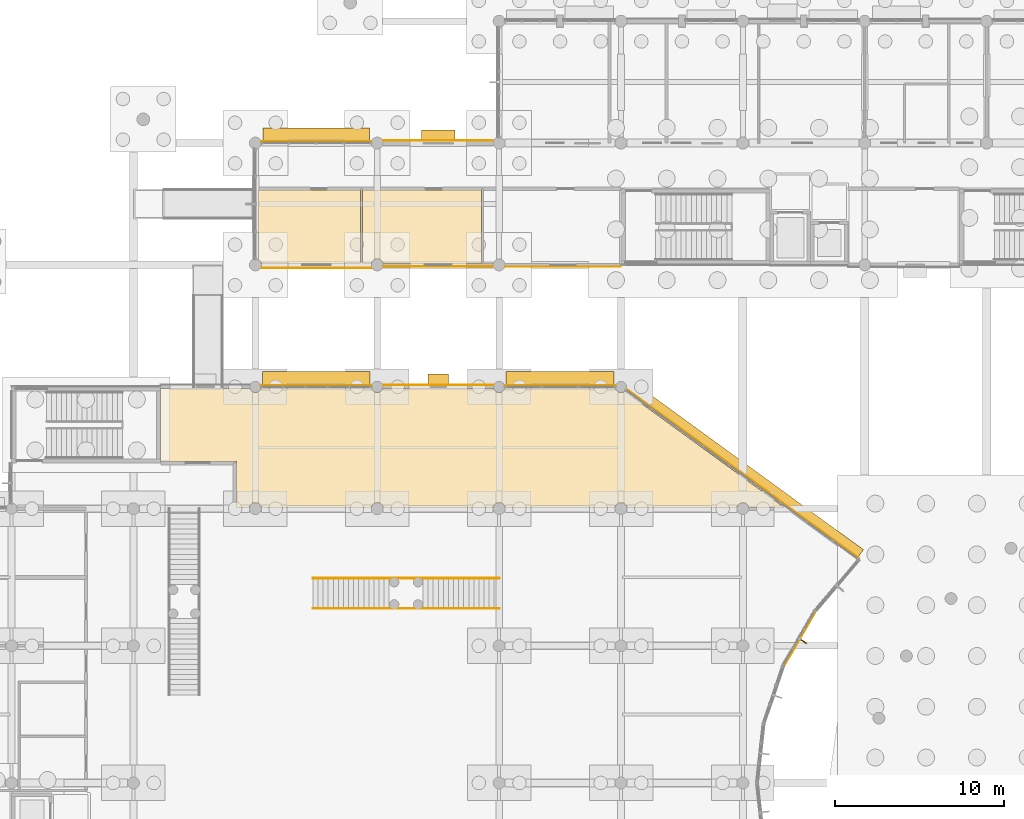
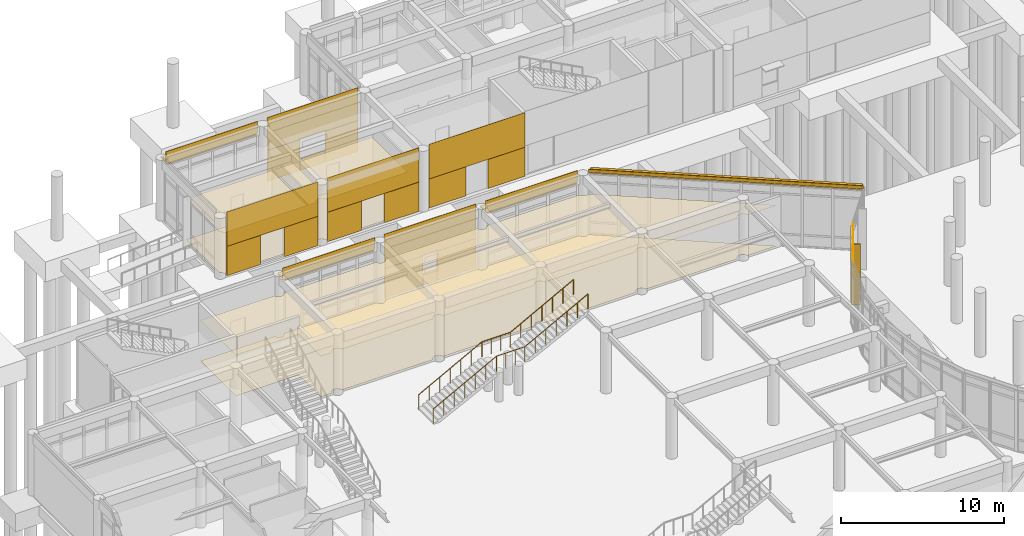
# One storey, part 89 of 103: 28 coverings, 7 shading devices, 2 railings.
"""IFC4 building model written with IfcOpenShell, lengths in metres."""

from ifc_helpers import new_model, si_unit, direction, frame, origin, origin_2d, place, context, subcontext, project, spatial, polyline, rectangle, circle, outline, extrude, material, layer, layer_set, type_object, element, save


model = new_model("IFC4")

# Units and contexts
model_context = context("Model", 3, precision=1e-05, world=origin(), true_north=direction((0.0, 1.0)))
body_context = subcontext(model_context, "Body", "Model", "MODEL_VIEW")
ifc_project = project(units=[si_unit("LENGTHUNIT", "METRE"), si_unit("AREAUNIT", "SQUARE_METRE"), si_unit("VOLUMEUNIT", "CUBIC_METRE"), si_unit("PLANEANGLEUNIT", "RADIAN"), si_unit("MASSUNIT", "GRAM", prefix="KILO")], contexts=[model_context])

# Site, building, storey
site_placement = place(None, origin())
site = spatial("IfcSite", under=ifc_project, at=site_placement, CompositionType="ELEMENT")
building_placement = place(site_placement, origin())
building = spatial("IfcBuilding", under=site, at=building_placement, Name="Namkhue Oval Health Centre", CompositionType="ELEMENT")
storey_placement = place(building_placement, origin())
storey = spatial("IfcBuildingStorey", under=building, at=storey_placement, Name="L00", CompositionType="ELEMENT", Elevation=0.0)

# Coverings
ifc_material_1 = material(Name="Acoustic mineral-fibre cleanroom ceiling", Category="gypsum")
ifc_layer_1 = layer(ifc_material_1, 0.02001953125)
ifc_layer_set_1 = layer_set([ifc_layer_1], Name="Acoustic mineral-fibre cleanroom ceiling")
covering_type_1 = type_object("IfcCoveringType", Name="ACOUSTIC CLEANROOM CEILING 20", PredefinedType="CEILING", material=ifc_layer_set_1)
covering_1_placement = place(storey_placement, frame((0.0, 0.0, 3.050048828125)))
element("IfcCovering", 1, at=covering_1_placement, inside=storey, type_object=covering_type_1, Name="Acoustic Ceiling L00-130 Public Health Cafe", PredefinedType="CEILING", context=body_context, shape_type="SweptSolid", body=[
    extrude(outline(polyline([(65.1494140625, 75.679931640625), (65.147705078125, 75.693115234375), (65.11181640625, 75.780029296875), (65.0546875, 75.8544921875), (64.97998046875, 75.911865234375), (64.893310546875, 75.94775390625), (64.800048828125, 75.9599609375), (64.706787109375, 75.94775390625), (64.6201171875, 75.911865234375), (64.54541015625, 75.8544921875), (64.48828125, 75.780029296875), (64.452392578125, 75.693115234375), (64.450439453125, 75.679931640625), (57.949462890625, 75.679931640625), (57.94775390625, 75.693115234375), (57.911865234375, 75.780029296875), (57.8544921875, 75.8544921875), (57.780029296875, 75.911865234375), (57.693115234375, 75.94775390625), (57.60009765625, 75.9599609375), (57.5068359375, 75.94775390625), (57.419921875, 75.911865234375), (57.345458984375, 75.8544921875), (57.2880859375, 75.780029296875), (57.252197265625, 75.693115234375), (57.25048828125, 75.679931640625), (50.74951171875, 75.679931640625), (50.747802734375, 75.693115234375), (50.7119140625, 75.780029296875), (50.654541015625, 75.8544921875), (50.580078125, 75.911865234375), (50.4931640625, 75.94775390625), (50.39990234375, 75.9599609375), (50.306884765625, 75.94775390625), (50.219970703125, 75.911865234375), (50.1455078125, 75.8544921875), (50.088134765625, 75.780029296875), (50.05224609375, 75.693115234375), (50.050537109375, 75.679931640625), (43.549560546875, 75.679931640625), (43.547607421875, 75.693115234375), (43.51171875, 75.780029296875), (43.45458984375, 75.8544921875), (43.3798828125, 75.911865234375), (43.293212890625, 75.94775390625), (43.199951171875, 75.9599609375), (43.106689453125, 75.94775390625), (43.02001953125, 75.911865234375), (42.9453125, 75.8544921875), (42.88818359375, 75.780029296875), (42.852294921875, 75.693115234375), (42.8505859375, 75.679931640625), (36.349609375, 75.679931640625), (36.34765625, 75.693115234375), (36.311767578125, 75.780029296875), (36.254638671875, 75.8544921875), (36.179931640625, 75.911865234375), (36.09326171875, 75.94775390625), (36.0, 75.9599609375), (35.90673828125, 75.94775390625), (35.820068359375, 75.911865234375), (35.745361328125, 75.8544921875), (35.688232421875, 75.780029296875), (35.65234375, 75.693115234375), (35.650390625, 75.679931640625), (34.8798828125, 75.679931640625), (34.8798828125, 78.3798828125), (30.39990234375, 78.3798828125), (30.39990234375, 82.715087890625), (35.67626953125, 82.715087890625), (35.7099609375, 82.632568359375), (35.76318359375, 82.56298828125), (35.83251953125, 82.510009765625), (35.913330078125, 82.476318359375), (36.0, 82.465087890625), (36.086669921875, 82.476318359375), (36.16748046875, 82.510009765625), (36.23681640625, 82.56298828125), (36.2900390625, 82.632568359375), (36.32373046875, 82.715087890625), (42.876220703125, 82.715087890625), (42.909912109375, 82.632568359375), (42.963134765625, 82.56298828125), (43.032470703125, 82.510009765625), (43.11328125, 82.476318359375), (43.199951171875, 82.465087890625), (43.28662109375, 82.476318359375), (43.367431640625, 82.510009765625), (43.43701171875, 82.56298828125), (43.489990234375, 82.632568359375), (43.523681640625, 82.715087890625), (50.076171875, 82.715087890625), (50.10986328125, 82.632568359375), (50.1630859375, 82.56298828125), (50.232421875, 82.510009765625), (50.313232421875, 82.476318359375), (50.39990234375, 82.465087890625), (50.48681640625, 82.476318359375), (50.5673828125, 82.510009765625), (50.636962890625, 82.56298828125), (50.690185546875, 82.632568359375), (50.723876953125, 82.715087890625), (57.276123046875, 82.715087890625), (57.309814453125, 82.632568359375), (57.363037109375, 82.56298828125), (57.4326171875, 82.510009765625), (57.51318359375, 82.476318359375), (57.60009765625, 82.465087890625), (57.686767578125, 82.476318359375), (57.767578125, 82.510009765625), (57.809814453125, 82.542236328125), (67.23779296875, 75.679931640625), (65.1494140625, 75.679931640625)])), origin(), (0.0, 0.0, 1.0), 0.02001953125),
])
covering_2_placement = place(storey_placement, frame((0.0, 0.0, 3.050048828125)))
element("IfcCovering", 2, at=covering_2_placement, inside=storey, type_object=covering_type_1, Name="Acoustic Ceiling L00-209 Community Triage Consultation", PredefinedType="CEILING", context=body_context, shape_type="SweptSolid", body=[
    extrude(outline(polyline([(36.348876953125, 90.0849609375), (36.311767578125, 90.179931640625), (36.254638671875, 90.254638671875), (36.179931640625, 90.311767578125), (36.14501953125, 90.326416015625), (36.14501953125, 94.419921875), (42.212890625, 94.419921875), (42.212890625, 90.0849609375), (36.348876953125, 90.0849609375)])), origin(), (0.0, 0.0, 1.0), 0.02001953125),
])
covering_3_placement = place(storey_placement, frame((0.0, 0.0, 3.050048828125)))
element("IfcCovering", 3, at=covering_3_placement, inside=storey, type_object=covering_type_1, Name="Acoustic Ceiling L00-210 Travel Medicine Immunisation Suite", PredefinedType="CEILING", context=body_context, shape_type="SweptSolid", body=[
    extrude(outline(polyline([(43.548828125, 90.0849609375), (43.51171875, 90.179931640625), (43.45458984375, 90.254638671875), (43.3798828125, 90.311767578125), (43.293212890625, 90.34765625), (43.199951171875, 90.360107421875), (43.106689453125, 90.34765625), (43.02001953125, 90.311767578125), (42.9453125, 90.254638671875), (42.88818359375, 90.179931640625), (42.851318359375, 90.0849609375), (42.3330078125, 90.0849609375), (42.3330078125, 94.419921875), (49.360107421875, 94.419921875), (49.360107421875, 90.0849609375), (43.548828125, 90.0849609375)])), origin(), (0.0, 0.0, 1.0), 0.02001953125),
])
ifc_material_2 = material(Name="Homogeneous anti-bacterial clinical vinyl flooring", Category="plastic")
ifc_layer_2 = layer(ifc_material_2, 0.014892578125)
ifc_layer_set_2 = layer_set([ifc_layer_2], Name="Homogeneous anti-bacterial clinical vinyl flooring")
covering_type_2 = type_object("IfcCoveringType", Name="CLINICAL ANTIBACTERIAL VINYL FLOORING 15", PredefinedType="FLOORING", material=ifc_layer_set_2)
covering_4_placement = place(storey_placement, origin())
element("IfcCovering", 4, at=covering_4_placement, inside=storey, type_object=covering_type_2, Name="Clinical Flooring L00-130 Public Health Cafe", PredefinedType="FLOORING", context=body_context, shape_type="SweptSolid", body=[
    extrude(outline(polyline([(65.1494140625, 75.679931640625), (65.147705078125, 75.693115234375), (65.11181640625, 75.780029296875), (65.0546875, 75.8544921875), (64.97998046875, 75.911865234375), (64.893310546875, 75.94775390625), (64.800048828125, 75.9599609375), (64.706787109375, 75.94775390625), (64.6201171875, 75.911865234375), (64.54541015625, 75.8544921875), (64.48828125, 75.780029296875), (64.452392578125, 75.693115234375), (64.450439453125, 75.679931640625), (57.949462890625, 75.679931640625), (57.94775390625, 75.693115234375), (57.911865234375, 75.780029296875), (57.8544921875, 75.8544921875), (57.780029296875, 75.911865234375), (57.693115234375, 75.94775390625), (57.60009765625, 75.9599609375), (57.5068359375, 75.94775390625), (57.419921875, 75.911865234375), (57.345458984375, 75.8544921875), (57.2880859375, 75.780029296875), (57.252197265625, 75.693115234375), (57.25048828125, 75.679931640625), (50.74951171875, 75.679931640625), (50.747802734375, 75.693115234375), (50.7119140625, 75.780029296875), (50.654541015625, 75.8544921875), (50.580078125, 75.911865234375), (50.4931640625, 75.94775390625), (50.39990234375, 75.9599609375), (50.306884765625, 75.94775390625), (50.219970703125, 75.911865234375), (50.1455078125, 75.8544921875), (50.088134765625, 75.780029296875), (50.05224609375, 75.693115234375), (50.050537109375, 75.679931640625), (43.549560546875, 75.679931640625), (43.547607421875, 75.693115234375), (43.51171875, 75.780029296875), (43.45458984375, 75.8544921875), (43.3798828125, 75.911865234375), (43.293212890625, 75.94775390625), (43.199951171875, 75.9599609375), (43.106689453125, 75.94775390625), (43.02001953125, 75.911865234375), (42.9453125, 75.8544921875), (42.88818359375, 75.780029296875), (42.852294921875, 75.693115234375), (42.8505859375, 75.679931640625), (36.349609375, 75.679931640625), (36.34765625, 75.693115234375), (36.311767578125, 75.780029296875), (36.254638671875, 75.8544921875), (36.179931640625, 75.911865234375), (36.09326171875, 75.94775390625), (36.0, 75.9599609375), (35.90673828125, 75.94775390625), (35.820068359375, 75.911865234375), (35.745361328125, 75.8544921875), (35.688232421875, 75.780029296875), (35.65234375, 75.693115234375), (35.650390625, 75.679931640625), (34.8798828125, 75.679931640625), (34.8798828125, 78.3798828125), (30.39990234375, 78.3798828125), (30.39990234375, 82.715087890625), (35.67626953125, 82.715087890625), (35.7099609375, 82.632568359375), (35.76318359375, 82.56298828125), (35.83251953125, 82.510009765625), (35.913330078125, 82.476318359375), (36.0, 82.465087890625), (36.086669921875, 82.476318359375), (36.16748046875, 82.510009765625), (36.23681640625, 82.56298828125), (36.2900390625, 82.632568359375), (36.32373046875, 82.715087890625), (42.876220703125, 82.715087890625), (42.909912109375, 82.632568359375), (42.963134765625, 82.56298828125), (43.032470703125, 82.510009765625), (43.11328125, 82.476318359375), (43.199951171875, 82.465087890625), (43.28662109375, 82.476318359375), (43.367431640625, 82.510009765625), (43.43701171875, 82.56298828125), (43.489990234375, 82.632568359375), (43.523681640625, 82.715087890625), (50.076171875, 82.715087890625), (50.10986328125, 82.632568359375), (50.1630859375, 82.56298828125), (50.232421875, 82.510009765625), (50.313232421875, 82.476318359375), (50.39990234375, 82.465087890625), (50.48681640625, 82.476318359375), (50.5673828125, 82.510009765625), (50.636962890625, 82.56298828125), (50.690185546875, 82.632568359375), (50.723876953125, 82.715087890625), (57.276123046875, 82.715087890625), (57.309814453125, 82.632568359375), (57.363037109375, 82.56298828125), (57.4326171875, 82.510009765625), (57.51318359375, 82.476318359375), (57.60009765625, 82.465087890625), (57.686767578125, 82.476318359375), (57.767578125, 82.510009765625), (57.809814453125, 82.542236328125), (67.23779296875, 75.679931640625), (65.1494140625, 75.679931640625)])), origin(), (0.0, 0.0, 1.0), 0.014892578125),
])
covering_5_placement = place(storey_placement, origin())
element("IfcCovering", 5, at=covering_5_placement, inside=storey, type_object=covering_type_2, Name="Clinical Flooring L00-209 Community Triage Consultation", PredefinedType="FLOORING", context=body_context, shape_type="SweptSolid", body=[
    extrude(outline(polyline([(36.348876953125, 90.0849609375), (36.311767578125, 90.179931640625), (36.254638671875, 90.254638671875), (36.179931640625, 90.311767578125), (36.14501953125, 90.326416015625), (36.14501953125, 94.419921875), (42.212890625, 94.419921875), (42.212890625, 90.0849609375), (36.348876953125, 90.0849609375)])), origin(), (0.0, 0.0, 1.0), 0.014892578125),
])
covering_6_placement = place(storey_placement, origin())
element("IfcCovering", 6, at=covering_6_placement, inside=storey, type_object=covering_type_2, Name="Clinical Flooring L00-210 Travel Medicine Immunisation Suite", PredefinedType="FLOORING", context=body_context, shape_type="SweptSolid", body=[
    extrude(outline(polyline([(43.548828125, 90.0849609375), (43.51171875, 90.179931640625), (43.45458984375, 90.254638671875), (43.3798828125, 90.311767578125), (43.293212890625, 90.34765625), (43.199951171875, 90.360107421875), (43.106689453125, 90.34765625), (43.02001953125, 90.311767578125), (42.9453125, 90.254638671875), (42.88818359375, 90.179931640625), (42.851318359375, 90.0849609375), (42.3330078125, 90.0849609375), (42.3330078125, 94.419921875), (49.360107421875, 94.419921875), (49.360107421875, 90.0849609375), (43.548828125, 90.0849609375)])), origin(), (0.0, 0.0, 1.0), 0.014892578125),
])

# Railings
ifc_material_3 = material(Name="Brushed stainless steel 316L balustrade with laminated glass infill", Category="steel")
railing_type = type_object("IfcRailingType", Name="INTERIOR BALUSTRADE GUARD 1150", PredefinedType="BALUSTRADE", material=ifc_material_3)
railing_1_placement = place(storey_placement, frame((39.405029296875, 71.489990234375, 0.0)))
element("IfcRailing", 7, at=railing_1_placement, inside=storey, type_object=railing_type, Name="Waiting Hall North Straight Feature Stair Balustrade Guard L", PredefinedType="BALUSTRADE", context=body_context, shape_type="SweptSolid", body=[
    extrude(circle(Radius=0.02392578125, at=origin_2d()), frame((0.0, 0.0, 1.1259765625), z_axis=(0.882137983893, 0.0, 0.470991058697), x_axis=(0.0, 1.0, 0.0)), (0.0, 0.0, 1.0), 5.095458984375),
    extrude(circle(Radius=0.02392578125, at=origin_2d()), frame((4.494873046875, 0.0, 3.52587890625), z_axis=(1.0, 0.0, 0.0), x_axis=(0.0, 1.0, 0.0)), (0.0, 0.0, 1.0), 2.010009765625),
    extrude(circle(Radius=0.02392578125, at=origin_2d()), frame((6.5048828125, 0.0, 3.52587890625), z_axis=(0.882128706014, 0.0, 0.471008435196), x_axis=(0.0, 1.0, 0.0)), (0.0, 0.0, 1.0), 5.095703125),
    extrude(circle(Radius=0.02099609375, at=origin_2d()), origin(), (0.0, 0.0, 1.0), 1.101806640625),
    extrude(circle(Radius=0.02099609375, at=origin_2d()), frame((0.7490234375, 0.0, 0.39990234375)), (0.0, 0.0, 1.0), 1.101806640625),
    extrude(circle(Radius=0.02099609375, at=origin_2d()), frame((1.498291015625, 0.0, 0.800048828125)), (0.0, 0.0, 1.0), 1.101806640625),
    extrude(circle(Radius=0.02099609375, at=origin_2d()), frame((2.24755859375, 0.0, 1.199951171875)), (0.0, 0.0, 1.0), 1.101806640625),
    extrude(circle(Radius=0.02099609375, at=origin_2d()), frame((2.99658203125, 0.0, 1.599853515625)), (0.0, 0.0, 1.0), 1.101806640625),
    extrude(circle(Radius=0.02099609375, at=origin_2d()), frame((3.74560546875, 0.0, 2.0)), (0.0, 0.0, 1.0), 1.101806640625),
    extrude(circle(Radius=0.02099609375, at=origin_2d()), frame((4.494873046875, 0.0, 2.39990234375)), (0.0, 0.0, 1.0), 1.101806640625),
    extrude(circle(Radius=0.02099609375, at=origin_2d()), frame((5.164794921875, 0.0, 2.39990234375)), (0.0, 0.0, 1.0), 1.101806640625),
    extrude(circle(Radius=0.02099609375, at=origin_2d()), frame((5.8349609375, 0.0, 2.39990234375)), (0.0, 0.0, 1.0), 1.101806640625),
    extrude(circle(Radius=0.02099609375, at=origin_2d()), frame((6.5048828125, 0.0, 2.39990234375)), (0.0, 0.0, 1.0), 1.101806640625),
    extrude(circle(Radius=0.02099609375, at=origin_2d()), frame((7.254150390625, 0.0, 2.7998046875)), (0.0, 0.0, 1.0), 1.101806640625),
    extrude(circle(Radius=0.02099609375, at=origin_2d()), frame((8.003173828125, 0.0, 3.199951171875)), (0.0, 0.0, 1.0), 1.101806640625),
    extrude(circle(Radius=0.02099609375, at=origin_2d()), frame((8.75244140625, 0.0, 3.60009765625)), (0.0, 0.0, 1.0), 1.101806640625),
    extrude(circle(Radius=0.02099609375, at=origin_2d()), frame((9.501708984375, 0.0, 4.0)), (0.0, 0.0, 1.0), 1.101806640625),
    extrude(circle(Radius=0.02099609375, at=origin_2d()), frame((10.250732421875, 0.0, 4.39990234375)), (0.0, 0.0, 1.0), 1.101806640625),
    extrude(circle(Radius=0.02099609375, at=origin_2d()), frame((11.0, 0.0, 4.800048828125)), (0.0, 0.0, 1.0), 1.101806640625),
])
railing_2_placement = place(storey_placement, frame((39.405029296875, 69.7099609375, 0.0)))
element("IfcRailing", 8, at=railing_2_placement, inside=storey, type_object=railing_type, Name="Waiting Hall North Straight Feature Stair Balustrade Guard R", PredefinedType="BALUSTRADE", context=body_context, shape_type="SweptSolid", body=[
    extrude(circle(Radius=0.02392578125, at=origin_2d()), frame((0.0, 0.0, 1.1259765625), z_axis=(0.882137983893, 0.0, 0.470991058697), x_axis=(0.0, 1.0, 0.0)), (0.0, 0.0, 1.0), 5.095458984375),
    extrude(circle(Radius=0.02392578125, at=origin_2d()), frame((4.494873046875, 0.0, 3.52587890625), z_axis=(1.0, 0.0, 0.0), x_axis=(0.0, 1.0, 0.0)), (0.0, 0.0, 1.0), 2.010009765625),
    extrude(circle(Radius=0.02392578125, at=origin_2d()), frame((6.5048828125, 0.0, 3.52587890625), z_axis=(0.882128706014, 0.0, 0.471008435196), x_axis=(0.0, 1.0, 0.0)), (0.0, 0.0, 1.0), 5.095703125),
    extrude(circle(Radius=0.02099609375, at=origin_2d()), origin(), (0.0, 0.0, 1.0), 1.101806640625),
    extrude(circle(Radius=0.02099609375, at=origin_2d()), frame((0.7490234375, 0.0, 0.39990234375)), (0.0, 0.0, 1.0), 1.101806640625),
    extrude(circle(Radius=0.02099609375, at=origin_2d()), frame((1.498291015625, 0.0, 0.800048828125)), (0.0, 0.0, 1.0), 1.101806640625),
    extrude(circle(Radius=0.02099609375, at=origin_2d()), frame((2.24755859375, 0.0, 1.199951171875)), (0.0, 0.0, 1.0), 1.101806640625),
    extrude(circle(Radius=0.02099609375, at=origin_2d()), frame((2.99658203125, 0.0, 1.599853515625)), (0.0, 0.0, 1.0), 1.101806640625),
    extrude(circle(Radius=0.02099609375, at=origin_2d()), frame((3.74560546875, 0.0, 2.0)), (0.0, 0.0, 1.0), 1.101806640625),
    extrude(circle(Radius=0.02099609375, at=origin_2d()), frame((4.494873046875, 0.0, 2.39990234375)), (0.0, 0.0, 1.0), 1.101806640625),
    extrude(circle(Radius=0.02099609375, at=origin_2d()), frame((5.164794921875, 0.0, 2.39990234375)), (0.0, 0.0, 1.0), 1.101806640625),
    extrude(circle(Radius=0.02099609375, at=origin_2d()), frame((5.8349609375, 0.0, 2.39990234375)), (0.0, 0.0, 1.0), 1.101806640625),
    extrude(circle(Radius=0.02099609375, at=origin_2d()), frame((6.5048828125, 0.0, 2.39990234375)), (0.0, 0.0, 1.0), 1.101806640625),
    extrude(circle(Radius=0.02099609375, at=origin_2d()), frame((7.254150390625, 0.0, 2.7998046875)), (0.0, 0.0, 1.0), 1.101806640625),
    extrude(circle(Radius=0.02099609375, at=origin_2d()), frame((8.003173828125, 0.0, 3.199951171875)), (0.0, 0.0, 1.0), 1.101806640625),
    extrude(circle(Radius=0.02099609375, at=origin_2d()), frame((8.75244140625, 0.0, 3.60009765625)), (0.0, 0.0, 1.0), 1.101806640625),
    extrude(circle(Radius=0.02099609375, at=origin_2d()), frame((9.501708984375, 0.0, 4.0)), (0.0, 0.0, 1.0), 1.101806640625),
    extrude(circle(Radius=0.02099609375, at=origin_2d()), frame((10.250732421875, 0.0, 4.39990234375)), (0.0, 0.0, 1.0), 1.101806640625),
    extrude(circle(Radius=0.02099609375, at=origin_2d()), frame((11.0, 0.0, 4.800048828125)), (0.0, 0.0, 1.0), 1.101806640625),
])

# Shading devices
ifc_material_4 = material(Name="Anodised aluminium EN AW-6063 T6", Category="aluminium")
ifc_layer_3 = layer(ifc_material_4, 0.06005859375)
ifc_layer_set_3 = layer_set([ifc_layer_3], Name="Anodised aluminium EN AW-6063 T6")
shading_device_type_1 = type_object("IfcShadingDeviceType", Name="MONSOON SUN LOUVRE 900", PredefinedType="JALOUSIE", material=ifc_layer_set_3)
for number, where, z_axis, x_axis, name in (
    (9, (54.0, 83.25, 3.844970703125), (0.0, 0.0, 1.0), (-1.0, 0.0, 0.0), "Volume V1 L00 Horizontal Monsoon Sun Louvre 12"),
    (10, (39.60009765625, 83.25, 3.844970703125), (0.0, 0.0, 1.0), (-1.0, 0.0, 0.0), "Volume V1 L00 Horizontal Monsoon Sun Louvre 14"),
):
    element("IfcShadingDevice", number, at=place(storey_placement, frame(where, z_axis=z_axis, x_axis=x_axis)), inside=storey, type_object=shading_device_type_1, Name=name, PredefinedType="JALOUSIE", context=body_context, shape_type="SweptSolid", body=[
        extrude(rectangle(XDim=6.360107421875, YDim=0.89990234375, at=origin_2d()), origin(), (0.0, 0.0, 1.0), 0.06005859375),
    ])
shading_device_1_placement = place(storey_placement, frame((39.60009765625, 97.64990234375, 3.840087890625), z_axis=(0.0, 0.0, 1.0), x_axis=(-1.0, 0.0, 0.0)))
element("IfcShadingDevice", 11, at=shading_device_1_placement, inside=storey, type_object=shading_device_type_1, Name="Volume V2 L00 Horizontal Monsoon Sun Louvre 58", PredefinedType="JALOUSIE", context=body_context, shape_type="SweptSolid", body=[
    extrude(rectangle(XDim=6.31005859375, YDim=0.89990234375, at=origin_2d()), origin(), (0.0, 0.0, 1.0), 0.06005859375),
])
ifc_layer_4 = layer(ifc_material_4, 0.050048828125)
ifc_layer_set_4 = layer_set([ifc_layer_4], Name="Anodised aluminium EN AW-6063 T6")
shading_device_type_2 = type_object("IfcShadingDeviceType", Name="STORM SHUTTER LOUVRE 650", PredefinedType="SHUTTER", material=ifc_layer_set_4)
shading_device_2_placement = place(storey_placement, frame((64.9296875, 77.8671875, 4.494873046875), z_axis=(0.0, 0.0, 1.0), x_axis=(-0.808503746992, 0.588491028904, 0.0)))
element("IfcShadingDevice", 12, at=shading_device_2_placement, inside=storey, type_object=shading_device_type_2, Name="Volume V1 L00 Horizontal Monsoon Sun Louvre 11", PredefinedType="SHUTTER", context=body_context, shape_type="SweptSolid", body=[
    extrude(rectangle(XDim=16.818115234375, YDim=0.64990234375, at=origin_2d()), origin(), (0.0, 0.0, 1.0), 0.06005859375),
])
shading_device_3_placement = place(storey_placement, frame((46.800048828125, 83.219970703125, 2.219970703125), z_axis=(0.0, 0.0, 1.0), x_axis=(-1.0, 0.0, 0.0)))
element("IfcShadingDevice", 13, at=shading_device_3_placement, inside=storey, type_object=shading_device_type_2, Name="Volume V1 L00 Window Monsoon Louvre 13", PredefinedType="SHUTTER", context=body_context, shape_type="SweptSolid", body=[
    extrude(rectangle(XDim=1.18994140625, YDim=0.64990234375, at=origin_2d()), origin(), (0.0, 0.0, 1.0), 0.06005859375),
])
shading_device_4_placement = place(storey_placement, frame((46.800048828125, 97.64990234375, 2.340087890625), z_axis=(0.0, 0.0, 1.0), x_axis=(-1.0, 0.0, 0.0)))
element("IfcShadingDevice", 14, at=shading_device_4_placement, inside=storey, type_object=shading_device_type_2, Name="Volume V2 L00 Window Monsoon Louvre 57", PredefinedType="SHUTTER", context=body_context, shape_type="SweptSolid", body=[
    extrude(rectangle(XDim=1.989990234375, YDim=0.64990234375, at=origin_2d()), origin(), (0.0, 0.0, 1.0), 0.06005859375),
])
shading_device_type_3 = type_object("IfcShadingDeviceType", Name="VERTICAL SOLAR FIN 600", PredefinedType="USERDEFINED", material=ifc_material_4)
shading_device_5_placement = place(storey_placement, frame((68.308349609375, 67.799560546875, 0.0), z_axis=(0.0, 0.0, 1.0), x_axis=(0.864976307593, -0.501812701416, 0.0)))
element("IfcShadingDevice", 15, at=shading_device_5_placement, inside=storey, type_object=shading_device_type_3, Name="Volume V1 L00 Extruded Aluminium Solar Fin 9", ObjectType="SOLAR FIN", PredefinedType="USERDEFINED", context=body_context, shape_type="SweptSolid", body=[
    extrude(rectangle(XDim=0.60009765625, YDim=0.06005859375, at=origin_2d()), origin(), (0.0, 0.0, 1.0), 4.56494140625),
])

# Coverings
ifc_material_5 = material(Name="White glass-fibre reinforced concrete GRC rainscreen cladding", Category="concrete")
ifc_layer_5 = layer(ifc_material_5, 0.02490234375)
ifc_layer_set_5 = layer_set([ifc_layer_5], Name="White glass-fibre reinforced concrete GRC rainscreen cladding")
covering_type_3 = type_object("IfcCoveringType", Name="WHITE GRC RAINSCREEN CLADDING 25", PredefinedType="CLADDING", material=ifc_layer_set_5)
covering_7_placement = place(storey_placement, frame((68.16015625, 67.885498046875, 4.550048828125), z_axis=(0.0, 0.0, 1.0), x_axis=(0.501812701416, 0.864976307593, 0.0)))
element("IfcCovering", 16, at=covering_7_placement, inside=storey, type_object=covering_type_3, Name="Volume V1 L00 Curtain Wall Spandrel Cladding 9", PredefinedType="CLADDING", context=body_context, shape_type="SweptSolid", body=[
    extrude(rectangle(XDim=3.7587890625, YDim=0.02490234375, at=origin_2d()), origin(), (0.0, 0.0, 1.0), 0.25),
])
covering_8_placement = place(storey_placement, frame((64.790283203125, 77.67578125, 4.550048828125), z_axis=(0.0, 0.0, 1.0), x_axis=(-0.808503746992, 0.588491028904, 0.0)))
element("IfcCovering", 17, at=covering_8_placement, inside=storey, type_object=covering_type_3, Name="Volume V1 L00 Curtain Wall Spandrel Cladding 11", PredefinedType="CLADDING", context=body_context, shape_type="SweptSolid", body=[
    extrude(rectangle(XDim=17.008056640625, YDim=0.02490234375, at=origin_2d()), origin(), (0.0, 0.0, 1.0), 0.25),
])
covering_9_placement = place(storey_placement, frame((54.0, 82.888427734375, 3.900146484375), z_axis=(0.0, 0.0, 1.0), x_axis=(-1.0, 0.0, 0.0)))
element("IfcCovering", 18, at=covering_9_placement, inside=storey, type_object=covering_type_3, Name="Volume V1 L00 Curtain Wall Spandrel Cladding 12", PredefinedType="CLADDING", context=body_context, shape_type="SweptSolid", body=[
    extrude(rectangle(XDim=6.550048828125, YDim=0.02490234375, at=origin_2d()), origin(), (0.0, 0.0, 1.0), 0.89990234375),
])
covering_10_placement = place(storey_placement, frame((46.800048828125, 82.9169921875, 2.21484375), z_axis=(0.0, 0.0, 1.0), x_axis=(-1.0, 0.0, 0.0)))
element("IfcCovering", 19, at=covering_10_placement, inside=storey, type_object=covering_type_3, Name="Volume V1 L00 Facade 4 White GRC Cladding 1", PredefinedType="CLADDING", context=body_context, shape_type="SweptSolid", body=[
    extrude(rectangle(XDim=6.52001953125, YDim=0.02490234375, at=origin_2d()), origin(), (0.0, 0.0, 1.0), 2.574951171875),
])
covering_11_placement = place(storey_placement, frame((48.675048828125, 82.9169921875, 0.01025390625), z_axis=(0.0, 0.0, 1.0), x_axis=(-1.0, 0.0, 0.0)))
element("IfcCovering", 20, at=covering_11_placement, inside=storey, type_object=covering_type_3, Name="Volume V1 L00 Facade 4 White GRC Cladding 2", PredefinedType="CLADDING", context=body_context, shape_type="SweptSolid", body=[
    extrude(rectangle(XDim=2.77001953125, YDim=0.02490234375, at=origin_2d()), origin(), (0.0, 0.0, 1.0), 2.199951171875),
])
covering_12_placement = place(storey_placement, frame((46.800048828125, 82.9169921875, 0.010009765625), z_axis=(0.0, 0.0, 1.0), x_axis=(-1.0, 0.0, 0.0)))
element("IfcCovering", 21, at=covering_12_placement, inside=storey, type_object=covering_type_3, Name="Volume V1 L00 Facade 4 White GRC Cladding 3", PredefinedType="CLADDING", context=body_context, shape_type="SweptSolid", body=[
    extrude(rectangle(XDim=0.969970703125, YDim=0.02490234375, at=origin_2d()), origin(), (0.0, 0.0, 1.0), 0.875),
])
covering_13_placement = place(storey_placement, frame((44.925048828125, 82.9169921875, 0.01025390625), z_axis=(0.0, 0.0, 1.0), x_axis=(-1.0, 0.0, 0.0)))
element("IfcCovering", 22, at=covering_13_placement, inside=storey, type_object=covering_type_3, Name="Volume V1 L00 Facade 4 White GRC Cladding 4", PredefinedType="CLADDING", context=body_context, shape_type="SweptSolid", body=[
    extrude(rectangle(XDim=2.77001953125, YDim=0.02490234375, at=origin_2d()), origin(), (0.0, 0.0, 1.0), 2.199951171875),
])
covering_14_placement = place(storey_placement, frame((39.60009765625, 82.888427734375, 3.900146484375), z_axis=(0.0, 0.0, 1.0), x_axis=(-1.0, 0.0, 0.0)))
element("IfcCovering", 23, at=covering_14_placement, inside=storey, type_object=covering_type_3, Name="Volume V1 L00 Curtain Wall Spandrel Cladding 13", PredefinedType="CLADDING", context=body_context, shape_type="SweptSolid", body=[
    extrude(rectangle(XDim=6.550048828125, YDim=0.02490234375, at=origin_2d()), origin(), (0.0, 0.0, 1.0), 0.89990234375),
])
covering_15_placement = place(storey_placement, frame((39.60009765625, 89.822998046875, 2.21484375), z_axis=(0.0, 0.0, 1.0), x_axis=(1.0, 0.0, 0.0)))
element("IfcCovering", 24, at=covering_15_placement, inside=storey, type_object=covering_type_3, Name="Volume V2 L00 Facade 16 White GRC Cladding 1", PredefinedType="CLADDING", context=body_context, shape_type="SweptSolid", body=[
    extrude(rectangle(XDim=6.469970703125, YDim=0.02490234375, at=origin_2d()), origin(), (0.0, 0.0, 1.0), 2.574951171875),
])
for number, where, z_axis, x_axis, name in (
    (25, (37.554931640625, 89.822998046875, 0.01025390625), (0.0, 0.0, 1.0), (1.0, 0.0, 0.0), "Volume V2 L00 Facade 16 White GRC Cladding 2"),
    (26, (41.64501953125, 89.822998046875, 0.01025390625), (0.0, 0.0, 1.0), (1.0, 0.0, 0.0), "Volume V2 L00 Facade 16 White GRC Cladding 3"),
):
    element("IfcCovering", number, at=place(storey_placement, frame(where, z_axis=z_axis, x_axis=x_axis)), inside=storey, type_object=covering_type_3, Name=name, PredefinedType="CLADDING", context=body_context, shape_type="SweptSolid", body=[
        extrude(rectangle(XDim=2.3798828125, YDim=0.02490234375, at=origin_2d()), origin(), (0.0, 0.0, 1.0), 2.199951171875),
    ])
covering_16_placement = place(storey_placement, frame((46.800048828125, 89.89794921875, 2.21484375), z_axis=(0.0, 0.0, 1.0), x_axis=(1.0, 0.0, 0.0)))
element("IfcCovering", 27, at=covering_16_placement, inside=storey, type_object=covering_type_3, Name="Volume V2 L00 Facade 17 White GRC Cladding 1", PredefinedType="CLADDING", context=body_context, shape_type="SweptSolid", body=[
    extrude(rectangle(XDim=6.469970703125, YDim=0.02490234375, at=origin_2d()), origin(), (0.0, 0.0, 1.0), 2.574951171875),
])
for number, where, z_axis, x_axis, name in (
    (28, (44.77490234375, 89.89794921875, 0.01025390625), (0.0, 0.0, 1.0), (1.0, 0.0, 0.0), "Volume V2 L00 Facade 17 White GRC Cladding 2"),
    (29, (48.824951171875, 89.89794921875, 0.01025390625), (0.0, 0.0, 1.0), (1.0, 0.0, 0.0), "Volume V2 L00 Facade 17 White GRC Cladding 3"),
):
    element("IfcCovering", number, at=place(storey_placement, frame(where, z_axis=z_axis, x_axis=x_axis)), inside=storey, type_object=covering_type_3, Name=name, PredefinedType="CLADDING", context=body_context, shape_type="SweptSolid", body=[
        extrude(rectangle(XDim=2.419921875, YDim=0.02490234375, at=origin_2d()), origin(), (0.0, 0.0, 1.0), 2.199951171875),
    ])
covering_17_placement = place(storey_placement, frame((54.17138671875, 89.89306640625, 2.19482421875), z_axis=(0.0, 0.0, 1.0), x_axis=(1.0, 0.0, 0.0)))
element("IfcCovering", 30, at=covering_17_placement, inside=storey, type_object=covering_type_3, Name="Volume V2 L00 Facade 18 White GRC Cladding 1", PredefinedType="CLADDING", context=body_context, shape_type="SweptSolid", body=[
    extrude(rectangle(XDim=6.81298828125, YDim=0.02490234375, at=origin_2d()), origin(), (0.0, 0.0, 1.0), 2.594970703125),
])
for number, where, z_axis, x_axis, name in (
    (31, (52.080810546875, 89.89306640625, 0.01025390625), (0.0, 0.0, 1.0), (1.0, 0.0, 0.0), "Volume V2 L00 Facade 18 White GRC Cladding 2"),
    (32, (56.26220703125, 89.89306640625, 0.01025390625), (0.0, 0.0, 1.0), (1.0, 0.0, 0.0), "Volume V2 L00 Facade 18 White GRC Cladding 3"),
):
    element("IfcCovering", number, at=place(storey_placement, frame(where, z_axis=z_axis, x_axis=x_axis)), inside=storey, type_object=covering_type_3, Name=name, PredefinedType="CLADDING", context=body_context, shape_type="SweptSolid", body=[
        extrude(rectangle(XDim=2.631591796875, YDim=0.02490234375, at=origin_2d()), origin(), (0.0, 0.0, 1.0), 2.179931640625),
    ])
covering_18_placement = place(storey_placement, frame((46.800048828125, 97.346923828125, 2.3349609375), z_axis=(0.0, 0.0, 1.0), x_axis=(-1.0, 0.0, 0.0)))
element("IfcCovering", 33, at=covering_18_placement, inside=storey, type_object=covering_type_3, Name="Volume V2 L00 Facade 26 White GRC Cladding 1", PredefinedType="CLADDING", context=body_context, shape_type="SweptSolid", body=[
    extrude(rectangle(XDim=6.469970703125, YDim=0.02490234375, at=origin_2d()), origin(), (0.0, 0.0, 1.0), 2.455078125),
])
covering_19_placement = place(storey_placement, frame((48.862548828125, 97.346923828125, 0.009765625), z_axis=(0.0, 0.0, 1.0), x_axis=(-1.0, 0.0, 0.0)))
element("IfcCovering", 34, at=covering_19_placement, inside=storey, type_object=covering_type_3, Name="Volume V2 L00 Facade 26 White GRC Cladding 2", PredefinedType="CLADDING", context=body_context, shape_type="SweptSolid", body=[
    extrude(rectangle(XDim=2.344970703125, YDim=0.02490234375, at=origin_2d()), origin(), (0.0, 0.0, 1.0), 2.320068359375),
])
covering_20_placement = place(storey_placement, frame((46.800048828125, 97.346923828125, 0.010009765625), z_axis=(0.0, 0.0, 1.0), x_axis=(-1.0, 0.0, 0.0)))
element("IfcCovering", 35, at=covering_20_placement, inside=storey, type_object=covering_type_3, Name="Volume V2 L00 Facade 26 White GRC Cladding 3", PredefinedType="CLADDING", context=body_context, shape_type="SweptSolid", body=[
    extrude(rectangle(XDim=1.77001953125, YDim=0.02490234375, at=origin_2d()), origin(), (0.0, 0.0, 1.0), 0.875),
])
covering_21_placement = place(storey_placement, frame((44.737548828125, 97.346923828125, 0.009765625), z_axis=(0.0, 0.0, 1.0), x_axis=(-1.0, 0.0, 0.0)))
element("IfcCovering", 36, at=covering_21_placement, inside=storey, type_object=covering_type_3, Name="Volume V2 L00 Facade 26 White GRC Cladding 4", PredefinedType="CLADDING", context=body_context, shape_type="SweptSolid", body=[
    extrude(rectangle(XDim=2.344970703125, YDim=0.02490234375, at=origin_2d()), origin(), (0.0, 0.0, 1.0), 2.320068359375),
])
covering_22_placement = place(storey_placement, frame((39.60009765625, 97.28857421875, 3.89501953125), z_axis=(0.0, 0.0, 1.0), x_axis=(-1.0, 0.0, 0.0)))
element("IfcCovering", 37, at=covering_22_placement, inside=storey, type_object=covering_type_3, Name="Volume V2 L00 Curtain Wall Spandrel Cladding 45", PredefinedType="CLADDING", context=body_context, shape_type="SweptSolid", body=[
    extrude(rectangle(XDim=6.5, YDim=0.02490234375, at=origin_2d()), origin(), (0.0, 0.0, 1.0), 0.905029296875),
])

save(model, "model.ifc")
